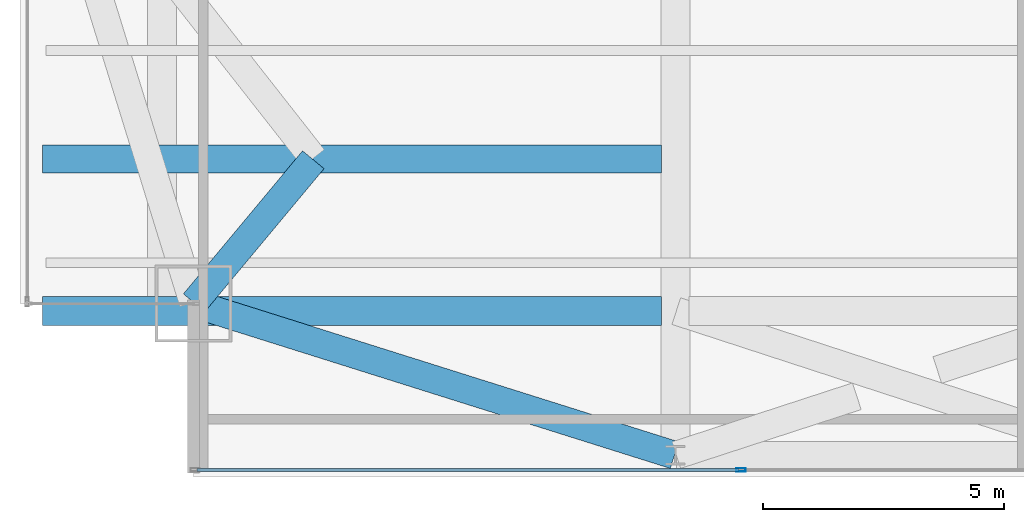
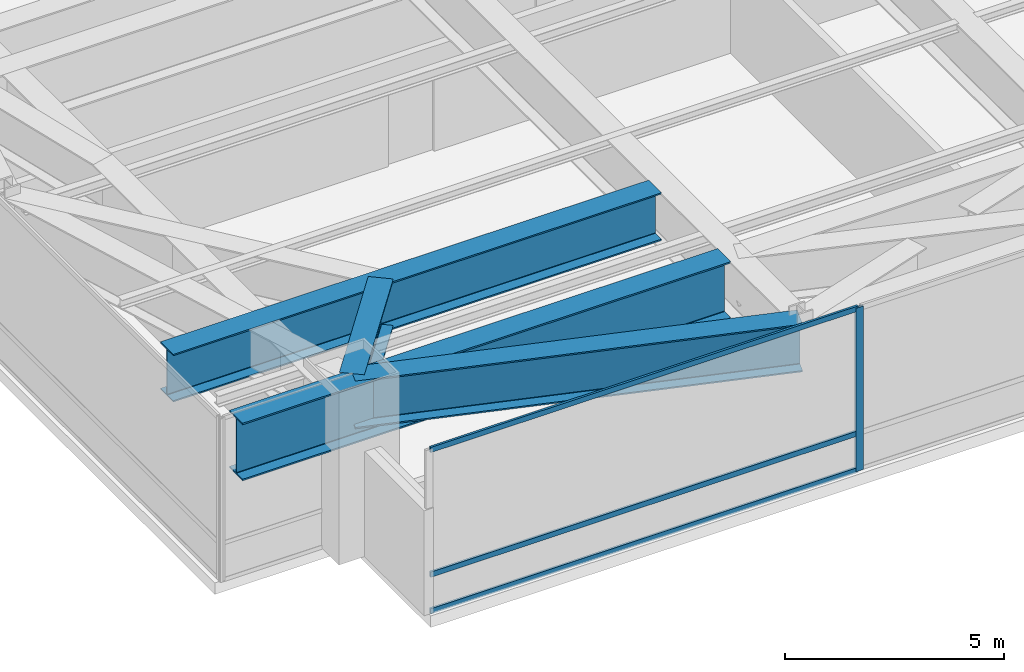
# One storey, part 4 of 30: 4 beams, 4 members, 1 element without a shape of its own.
"""IFC4 building model written with IfcOpenShell, lengths in metres."""

from ifc_helpers import new_model, si_unit, direction, frame, origin, origin_2d, place, context, subcontext, project, spatial, hollow_rectangle, i_section, extrude, source, transform, mapped, material, layer, layer_set, material_profile, profile_set, type_object, type_shapes, element, aggregate, save


model = new_model("IFC4")

# Units and contexts
model_context = context("Model", 3, precision=1e-05, world=origin(), true_north=direction((0.0, 1.0)))
body_context = subcontext(model_context, "Body", "Model", "MODEL_VIEW")
ifc_project = project(units=[si_unit("LENGTHUNIT", "METRE"), si_unit("AREAUNIT", "SQUARE_METRE"), si_unit("VOLUMEUNIT", "CUBIC_METRE"), si_unit("PLANEANGLEUNIT", "RADIAN"), si_unit("MASSUNIT", "GRAM", prefix="KILO")], contexts=[model_context])

# Site, building, storey
site_placement = place(None, origin())
site = spatial("IfcSite", under=ifc_project, at=site_placement, CompositionType="ELEMENT")
building_placement = place(site_placement, origin())
building = spatial("IfcBuilding", under=site, at=building_placement, Name="Varnel Quay Broadcast Tower", CompositionType="ELEMENT")
storey_placement = place(building_placement, frame((0.0, 0.0, 82.199951171875)))
storey = spatial("IfcBuildingStorey", under=building, at=storey_placement, Name="L19", CompositionType="ELEMENT", Elevation=82.199951171875)

# Beams
ifc_material_1 = material(Name="Structural Steel CSA G40.21 350WT", Category="steel")
ifc_material_profile_1 = material_profile(ifc_material_1, i_section(OverallWidth=0.580078125, OverallDepth=1.330078125, WebThickness=0.02197265625, FlangeThickness=0.0380859375, FilletRadius=0.02001953125, at=origin_2d()), Name="WWF1330X535")
ifc_profile_set_1 = profile_set([ifc_material_profile_1], Name="Structural Steel CSA G40.21 350WT")
beam_type_1 = type_object("IfcBeamType", Name="Girder_WWF1330X535", PredefinedType="BEAM", material=ifc_profile_set_1)
shared_shape_1 = source(origin(), body_context, "Body", "SweptSolid", [
    extrude(i_section(OverallWidth=0.580078125, OverallDepth=1.330078125, WebThickness=0.02197265625, FlangeThickness=0.0380859375, FilletRadius=0.02001953125, at=origin_2d()), origin(), (0.0, 0.0, 1.0), 10.444091796875),
])
beam_1_placement = place(storey_placement, frame((5.619140625, 4.7939453125, 3.885009765625), z_axis=(0.953798277271, -0.300447743003, 0.0), x_axis=(0.300447743003, 0.953798277271, 0.0)))
element("IfcBeam", 1, at=beam_1_placement, inside=storey, type_object=beam_type_1, Name="L19 Perimeter Transfer Spine MC-SW-TC-S1", PredefinedType="BEAM", context=body_context, shape_type="MappedRepresentation", body=[
    mapped(shared_shape_1, transform((0.0, 0.0, 0.0), x_axis=(1.0, 0.0, 0.0), y_axis=(0.0, 1.0, 0.0), z_axis=(0.0, 0.0, 1.0), scale=1.0)),
])
ifc_material_profile_2 = material_profile(ifc_material_1, i_section(OverallWidth=0.60009765625, OverallDepth=1.60009765625, WebThickness=0.02392578125, FlangeThickness=0.0419921875, FilletRadius=0.02197265625, at=origin_2d()), Name="WWF1600X620")
ifc_profile_set_2 = profile_set([ifc_material_profile_2], Name="Structural Steel CSA G40.21 350WT")
beam_type_2 = type_object("IfcBeamType", Name="Girder_WWF1600X620", PredefinedType="BEAM", material=ifc_profile_set_2)
shared_shape_2 = source(origin(), body_context, "Body", "SweptSolid", [
    extrude(i_section(OverallWidth=0.60009765625, OverallDepth=1.60009765625, WebThickness=0.02392578125, FlangeThickness=0.0419921875, FilletRadius=0.02197265625, at=origin_2d()), origin(), (0.0, 0.0, 1.0), 12.844970703125),
])
type_shapes(beam_type_2, [shared_shape_2])
beam_2_placement = place(storey_placement, frame((2.469970703125, 4.64990234375, 3.75), z_axis=(1.0, 0.0, 0.0), x_axis=(0.0, 1.0, 0.0)))
element("IfcBeam", 2, at=beam_2_placement, inside=storey, type_object=beam_type_2, Name="L19 Setback South Transfer Header 1", PredefinedType="BEAM", context=body_context, shape_type="MappedRepresentation", body=[
    mapped(shared_shape_2, transform((0.0, 0.0, 0.0), x_axis=(1.0, 0.0, 0.0), y_axis=(0.0, 1.0, 0.0), z_axis=(0.0, 0.0, 1.0), scale=1.0)),
])
shared_shape_3 = source(origin(), body_context, "Body", "SweptSolid", [
    extrude(i_section(OverallWidth=0.580078125, OverallDepth=1.330078125, WebThickness=0.02197265625, FlangeThickness=0.0380859375, FilletRadius=0.02001953125, at=origin_2d()), origin(), (0.0, 0.0, 1.0), 12.844970703125),
])
beam_3_placement = place(storey_placement, frame((2.469970703125, 7.800048828125, 3.885009765625), z_axis=(1.0, 0.0, 0.0), x_axis=(0.0, 1.0, 0.0)))
element("IfcBeam", 3, at=beam_3_placement, inside=storey, type_object=beam_type_1, Name="L19 Setback Corner South Transfer 1", PredefinedType="BEAM", context=body_context, shape_type="MappedRepresentation", body=[
    mapped(shared_shape_3, transform((0.0, 0.0, 0.0), x_axis=(1.0, 0.0, 0.0), y_axis=(0.0, 1.0, 0.0), z_axis=(0.0, 0.0, 1.0), scale=1.0)),
])
shared_shape_4 = source(origin(), body_context, "Body", "SweptSolid", [
    extrude(i_section(OverallWidth=0.580078125, OverallDepth=1.330078125, WebThickness=0.02197265625, FlangeThickness=0.0380859375, FilletRadius=0.02001953125, at=origin_2d()), origin(), (0.0, 0.0, 1.0), 3.864990234375),
])
type_shapes(beam_type_1, [shared_shape_1, shared_shape_3, shared_shape_4])
beam_4_placement = place(storey_placement, frame((5.61279296875, 4.8154296875, 3.885009765625), z_axis=(0.640184399664, 0.768221279597, 0.0), x_axis=(-0.768221279597, 0.640184399664, 0.0)))
element("IfcBeam", 4, at=beam_4_placement, inside=storey, type_object=beam_type_1, Name="L19 Nodal Transfer Tie MC-SW-MC-SW", PredefinedType="BEAM", context=body_context, shape_type="MappedRepresentation", body=[
    mapped(shared_shape_4, transform((0.0, 0.0, 0.0), x_axis=(1.0, 0.0, 0.0), y_axis=(0.0, 1.0, 0.0), z_axis=(0.0, 0.0, 1.0), scale=1.0)),
])

# Curtain wall, members
ifc_material_2 = material(Name="Anodised Bronze Aluminium 6063-T6", Category="aluminium")
ifc_layer = layer(ifc_material_2, 0.18994140625, Name="Anodised Bronze Aluminium 6063-T6")
ifc_layer_set = layer_set([ifc_layer], Name="Anodised Bronze Aluminium 6063-T6")
curtain_wall_type = type_object("IfcCurtainWallType", Name="CW_LowerTower", PredefinedType="NOTDEFINED", material=ifc_layer_set)
curtain_wall_placement = place(storey_placement, origin())
curtain_wall = element("IfcCurtainWall", 5, at=curtain_wall_placement, inside=storey, type_object=curtain_wall_type, Name="L19 South Unitised Curtain Wall 1", PredefinedType="NOTDEFINED")
ifc_material_profile_3 = material_profile(ifc_material_2, hollow_rectangle(XDim=0.06005859375, YDim=0.14501953125, WallThickness=0.00341796875, at=origin_2d()), Name="ALU60X145X3.5")
ifc_profile_set_3 = profile_set([ifc_material_profile_3], Name="Anodised Bronze Aluminium 6063-T6")
member_type_1 = type_object("IfcMemberType", Name="Tran_CWS-02", PredefinedType="USERDEFINED", material=ifc_profile_set_3)
shared_shape_5 = source(origin(), body_context, "Body", "SweptSolid", [
    extrude(hollow_rectangle(XDim=0.06005859375, YDim=0.14501953125, WallThickness=0.00341796875, at=origin_2d()), origin(), (0.0, 0.0, 1.0), 11.255126953125),
])
type_shapes(member_type_1, [shared_shape_5])
member_1_placement = place(storey_placement, frame((5.669921875, 1.35009765625, 0.030029296875), z_axis=(1.0, 0.0, 0.0), x_axis=(0.0, 1.0, 0.0)))
member_1 = element("IfcMember", 6, at=member_1_placement, type_object=member_type_1, Name="CWS-02 transom 1.1", ObjectType="TRANSOM", PredefinedType="USERDEFINED", context=body_context, shape_type="MappedRepresentation", body=[
    mapped(shared_shape_5, transform((0.0, 0.0, 0.0), x_axis=(1.0, 0.0, 0.0), y_axis=(0.0, 1.0, 0.0), z_axis=(0.0, 0.0, 1.0), scale=1.0)),
])
member_2_placement = place(storey_placement, frame((5.669921875, 1.35009765625, 1.050048828125), z_axis=(1.0, 0.0, 0.0), x_axis=(0.0, 1.0, 0.0)))
member_2 = element("IfcMember", 7, at=member_2_placement, type_object=member_type_1, Name="CWS-02 transom 1.2", ObjectType="TRANSOM", PredefinedType="USERDEFINED", context=body_context, shape_type="MappedRepresentation", body=[
    mapped(shared_shape_5, transform((0.0, 0.0, 0.0), x_axis=(1.0, 0.0, 0.0), y_axis=(0.0, 1.0, 0.0), z_axis=(0.0, 0.0, 1.0), scale=1.0)),
])
member_3_placement = place(storey_placement, frame((5.669921875, 1.35009765625, 4.52001953125), z_axis=(1.0, 0.0, 0.0), x_axis=(0.0, 1.0, 0.0)))
member_3 = element("IfcMember", 8, at=member_3_placement, type_object=member_type_1, Name="CWS-02 transom 1.3", ObjectType="TRANSOM", PredefinedType="USERDEFINED", context=body_context, shape_type="MappedRepresentation", body=[
    mapped(shared_shape_5, transform((0.0, 0.0, 0.0), x_axis=(1.0, 0.0, 0.0), y_axis=(0.0, 1.0, 0.0), z_axis=(0.0, 0.0, 1.0), scale=1.0)),
])
ifc_material_profile_4 = material_profile(ifc_material_2, hollow_rectangle(XDim=0.070068359375, YDim=0.18994140625, WallThickness=0.00390625, at=origin_2d()), Name="ALU70X190X4")
ifc_profile_set_4 = profile_set([ifc_material_profile_4], Name="Anodised Bronze Aluminium 6063-T6")
member_type_2 = type_object("IfcMemberType", Name="Mull_CWS-02", PredefinedType="MULLION", material=ifc_profile_set_4)
shared_shape_6 = source(origin(), body_context, "Body", "SweptSolid", [
    extrude(hollow_rectangle(XDim=0.070068359375, YDim=0.18994140625, WallThickness=0.00390625, at=origin_2d()), origin(), (0.0, 0.0, 1.0), 4.550048828125),
])
type_shapes(member_type_2, [shared_shape_6])
member_4_placement = place(storey_placement, frame((16.9599609375, 1.35009765625, 0.0), z_axis=(0.0, 0.0, 1.0), x_axis=(0.0, 1.0, 0.0)))
member_4 = element("IfcMember", 9, at=member_4_placement, type_object=member_type_2, Name="CWS-02 mullion 2", PredefinedType="MULLION", context=body_context, shape_type="MappedRepresentation", body=[
    mapped(shared_shape_6, transform((0.0, 0.0, 0.0), x_axis=(1.0, 0.0, 0.0), y_axis=(0.0, 1.0, 0.0), z_axis=(0.0, 0.0, 1.0), scale=1.0)),
])
aggregate(curtain_wall, [member_4, member_1, member_2, member_3])

save(model, "model.ifc")
